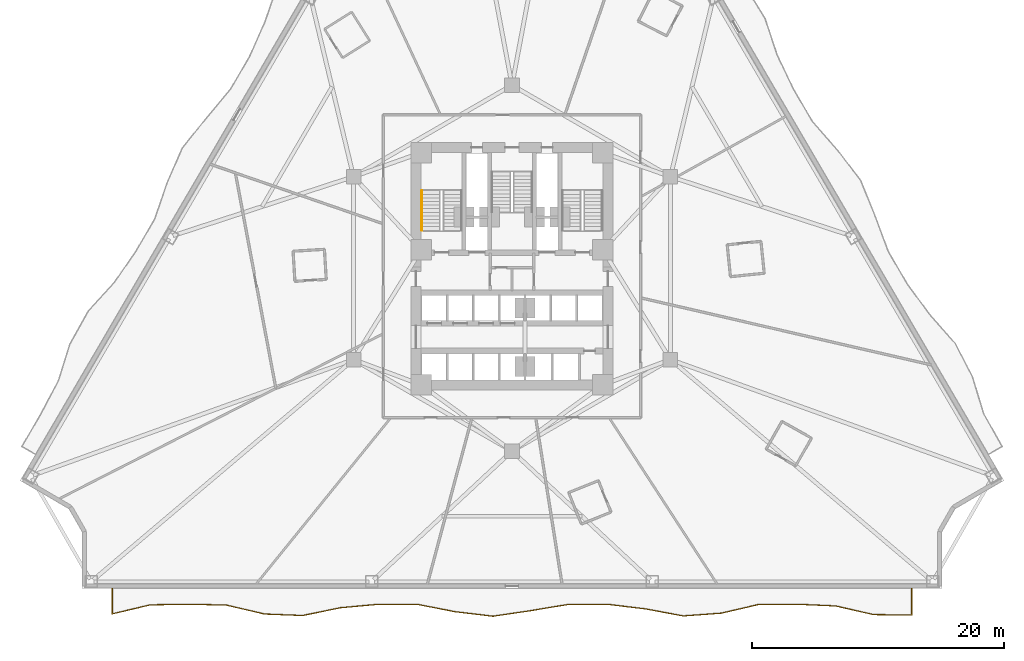
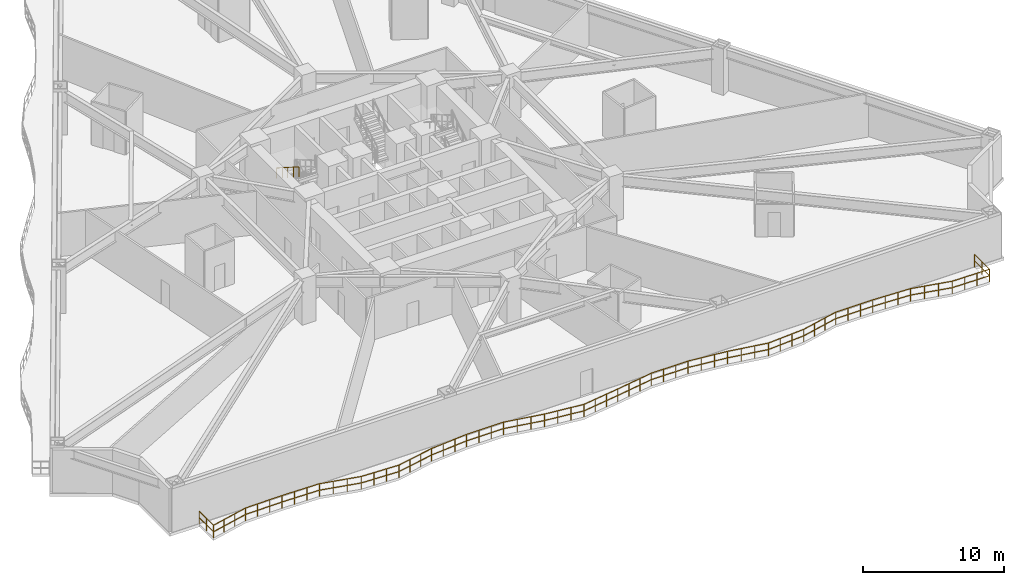
# One storey, part 8 of 12: 2 railings.
"""IFC4 building model written with IfcOpenShell, lengths in metres."""

from ifc_helpers import new_model, si_unit, direction, frame, origin, origin_2d, place, context, subcontext, project, spatial, rectangle, extrude, material, type_object, element, save


model = new_model("IFC4")

# Units and contexts
model_context = context("Model", 3, precision=1e-05, world=origin(), true_north=direction((0.0, 1.0)))
body_context = subcontext(model_context, "Body", "Model", "MODEL_VIEW")
ifc_project = project(units=[si_unit("LENGTHUNIT", "METRE"), si_unit("AREAUNIT", "SQUARE_METRE"), si_unit("VOLUMEUNIT", "CUBIC_METRE"), si_unit("PLANEANGLEUNIT", "RADIAN"), si_unit("MASSUNIT", "GRAM", prefix="KILO")], contexts=[model_context])

# Site, building, storey
site_placement = place(None, origin())
site = spatial("IfcSite", under=ifc_project, at=site_placement, CompositionType="ELEMENT")
building_placement = place(site_placement, origin())
building = spatial("IfcBuilding", under=site, at=building_placement, Name="Apsidion Concourse Tower", CompositionType="ELEMENT")
storey_placement = place(building_placement, frame((0.0, 0.0, 42.39990234375)))
storey = spatial("IfcBuildingStorey", under=building, at=storey_placement, Name="L08", CompositionType="ELEMENT", Elevation=42.39990234375)

# Railings
ifc_material = material(Name="Brushed stainless steel 316", Category="steel")
railing_type_1 = type_object("IfcRailingType", Name="RL-BAL-1120", PredefinedType="BALUSTRADE", material=ifc_material)
railing_1_placement = place(storey_placement, frame((31.68798828125, -25.39990234375, 0.0)))
element("IfcRailing", 1, at=railing_1_placement, inside=storey, type_object=railing_type_1, Name="L08 Face 2 Rippling Balcony Balustrade", PredefinedType="BALUSTRADE", context=body_context, shape_type="SweptSolid", body=[
    extrude(rectangle(XDim=0.048095703125, YDim=0.048095703125, at=origin_2d()), frame((0.0, 0.0, 1.09619140625), z_axis=(0.0, -1.0, 0.0), x_axis=(1.0, 0.0, 0.0)), (0.0, 0.0, 1.0), 2.107421875),
    extrude(rectangle(XDim=0.048095703125, YDim=0.048095703125, at=origin_2d()), frame((0.0, 0.0, 0.5361328125), z_axis=(0.0, -1.0, 0.0), x_axis=(1.0, 0.0, 0.0)), (0.0, 0.0, 1.0), 2.107421875),
    extrude(rectangle(XDim=0.048095703125, YDim=0.048095703125, at=origin_2d()), frame((0.0, -2.107421875, 1.09619140625), z_axis=(-0.99992139051, 0.012538452838, 0.0), x_axis=(-0.012538452838, -0.99992139051, 0.0)), (0.0, 0.0, 1.0), 3.01806640625),
    extrude(rectangle(XDim=0.048095703125, YDim=0.048095703125, at=origin_2d()), frame((0.0, -2.107421875, 0.5361328125), z_axis=(-0.99992139051, 0.012538452838, 0.0), x_axis=(-0.012538452838, -0.99992139051, 0.0)), (0.0, 0.0, 1.0), 3.01806640625),
    extrude(rectangle(XDim=0.048095703125, YDim=0.048095703125, at=origin_2d()), frame((-3.017822265625, -2.069580078125, 1.09619140625), z_axis=(-0.975121230641, 0.221672248046, 0.0), x_axis=(-0.221672248046, -0.975121230641, 0.0)), (0.0, 0.0, 1.0), 3.0947265625),
    extrude(rectangle(XDim=0.048095703125, YDim=0.048095703125, at=origin_2d()), frame((-3.017822265625, -2.069580078125, 0.5361328125), z_axis=(-0.975121230641, 0.221672248046, 0.0), x_axis=(-0.221672248046, -0.975121230641, 0.0)), (0.0, 0.0, 1.0), 3.0947265625),
    extrude(rectangle(XDim=0.048095703125, YDim=0.048095703125, at=origin_2d()), frame((-6.03564453125, -1.383544921875, 1.09619140625), z_axis=(-0.999022312249, 0.044208818445, 0.0), x_axis=(-0.044208818445, -0.999022312249, 0.0)), (0.0, 0.0, 1.0), 3.020751953125),
    extrude(rectangle(XDim=0.048095703125, YDim=0.048095703125, at=origin_2d()), frame((-6.03564453125, -1.383544921875, 0.5361328125), z_axis=(-0.999022312249, 0.044208818445, 0.0), x_axis=(-0.044208818445, -0.999022312249, 0.0)), (0.0, 0.0, 1.0), 3.020751953125),
    extrude(rectangle(XDim=0.048095703125, YDim=0.048095703125, at=origin_2d()), frame((-9.053466796875, -1.25, 1.09619140625), z_axis=(-1.0, 0.0, 0.0), x_axis=(0.0, -1.0, 0.0)), (0.0, 0.0, 1.0), 3.01806640625),
    extrude(rectangle(XDim=0.048095703125, YDim=0.048095703125, at=origin_2d()), frame((-9.053466796875, -1.25, 0.5361328125), z_axis=(-1.0, 0.0, 0.0), x_axis=(0.0, -1.0, 0.0)), (0.0, 0.0, 1.0), 3.01806640625),
    extrude(rectangle(XDim=0.048095703125, YDim=0.048095703125, at=origin_2d()), frame((-12.071533203125, -1.25, 1.09619140625), z_axis=(-0.973779584052, -0.227493564047, 0.0), x_axis=(0.227493564047, -0.973779584052, 0.0)), (0.0, 0.0, 1.0), 3.099365234375),
    extrude(rectangle(XDim=0.048095703125, YDim=0.048095703125, at=origin_2d()), frame((-12.071533203125, -1.25, 0.5361328125), z_axis=(-0.973779584052, -0.227493564047, 0.0), x_axis=(0.227493564047, -0.973779584052, 0.0)), (0.0, 0.0, 1.0), 3.099365234375),
    extrude(rectangle(XDim=0.048095703125, YDim=0.048095703125, at=origin_2d()), frame((-15.089599609375, -1.955078125, 1.09619140625), z_axis=(-0.9973890091, -0.072216096039, 0.0), x_axis=(0.072216096039, -0.9973890091, 0.0)), (0.0, 0.0, 1.0), 3.025634765625),
    extrude(rectangle(XDim=0.048095703125, YDim=0.048095703125, at=origin_2d()), frame((-15.089599609375, -1.955078125, 0.5361328125), z_axis=(-0.9973890091, -0.072216096039, 0.0), x_axis=(0.072216096039, -0.9973890091, 0.0)), (0.0, 0.0, 1.0), 3.025634765625),
    extrude(rectangle(XDim=0.048095703125, YDim=0.048095703125, at=origin_2d()), frame((-18.107421875, -2.173583984375, 1.09619140625), z_axis=(-0.983240308438, 0.182314277724, 0.0), x_axis=(-0.182314277724, -0.983240308438, 0.0)), (0.0, 0.0, 1.0), 3.0693359375),
    extrude(rectangle(XDim=0.048095703125, YDim=0.048095703125, at=origin_2d()), frame((-18.107421875, -2.173583984375, 0.5361328125), z_axis=(-0.983240308438, 0.182314277724, 0.0), x_axis=(-0.182314277724, -0.983240308438, 0.0)), (0.0, 0.0, 1.0), 3.0693359375),
    extrude(rectangle(XDim=0.048095703125, YDim=0.048095703125, at=origin_2d()), frame((-21.125244140625, -1.614013671875, 1.09619140625), z_axis=(-0.992803682505, 0.11975327972, 0.0), x_axis=(-0.11975327972, -0.992803682505, 0.0)), (0.0, 0.0, 1.0), 3.039794921875),
    extrude(rectangle(XDim=0.048095703125, YDim=0.048095703125, at=origin_2d()), frame((-21.125244140625, -1.614013671875, 0.5361328125), z_axis=(-0.992803682505, 0.11975327972, 0.0), x_axis=(-0.11975327972, -0.992803682505, 0.0)), (0.0, 0.0, 1.0), 3.039794921875),
    extrude(rectangle(XDim=0.048095703125, YDim=0.048095703125, at=origin_2d()), frame((-24.14306640625, -1.25, 1.09619140625), z_axis=(-1.0, 0.0, 0.0), x_axis=(0.0, -1.0, 0.0)), (0.0, 0.0, 1.0), 3.01806640625),
    extrude(rectangle(XDim=0.048095703125, YDim=0.048095703125, at=origin_2d()), frame((-24.14306640625, -1.25, 0.5361328125), z_axis=(-1.0, 0.0, 0.0), x_axis=(0.0, -1.0, 0.0)), (0.0, 0.0, 1.0), 3.01806640625),
    extrude(rectangle(XDim=0.048095703125, YDim=0.048095703125, at=origin_2d()), frame((-27.1611328125, -1.25, 1.09619140625), z_axis=(-0.986460705296, -0.163997795436, 0.0), x_axis=(0.163997795436, -0.986460705296, 0.0)), (0.0, 0.0, 1.0), 3.059326171875),
    extrude(rectangle(XDim=0.048095703125, YDim=0.048095703125, at=origin_2d()), frame((-27.1611328125, -1.25, 0.5361328125), z_axis=(-0.986460705296, -0.163997795436, 0.0), x_axis=(0.163997795436, -0.986460705296, 0.0)), (0.0, 0.0, 1.0), 3.059326171875),
    extrude(rectangle(XDim=0.048095703125, YDim=0.048095703125, at=origin_2d()), frame((-30.178955078125, -1.751708984375, 1.09619140625), z_axis=(-0.98921978265, -0.146438456742, 0.0), x_axis=(0.146438456742, -0.98921978265, 0.0)), (0.0, 0.0, 1.0), 3.051025390625),
    extrude(rectangle(XDim=0.048095703125, YDim=0.048095703125, at=origin_2d()), frame((-30.178955078125, -1.751708984375, 0.5361328125), z_axis=(-0.98921978265, -0.146438456742, 0.0), x_axis=(0.146438456742, -0.98921978265, 0.0)), (0.0, 0.0, 1.0), 3.051025390625),
    extrude(rectangle(XDim=0.048095703125, YDim=0.048095703125, at=origin_2d()), frame((-33.197021484375, -2.198486328125, 1.09619140625), z_axis=(-0.992870375728, 0.119199064605, 0.0), x_axis=(-0.119199064605, -0.992870375728, 0.0)), (0.0, 0.0, 1.0), 3.03955078125),
    extrude(rectangle(XDim=0.048095703125, YDim=0.048095703125, at=origin_2d()), frame((-33.197021484375, -2.198486328125, 0.5361328125), z_axis=(-0.992870375728, 0.119199064605, 0.0), x_axis=(-0.119199064605, -0.992870375728, 0.0)), (0.0, 0.0, 1.0), 3.03955078125),
    extrude(rectangle(XDim=0.048095703125, YDim=0.048095703125, at=origin_2d()), frame((-36.21484375, -1.836181640625, 1.09619140625), z_axis=(-0.981655869186, 0.190661360776, 0.0), x_axis=(-0.190661360776, -0.981655869186, 0.0)), (0.0, 0.0, 1.0), 3.074462890625),
    extrude(rectangle(XDim=0.048095703125, YDim=0.048095703125, at=origin_2d()), frame((-36.21484375, -1.836181640625, 0.5361328125), z_axis=(-0.981655869186, 0.190661360776, 0.0), x_axis=(-0.190661360776, -0.981655869186, 0.0)), (0.0, 0.0, 1.0), 3.074462890625),
    extrude(rectangle(XDim=0.048095703125, YDim=0.048095703125, at=origin_2d()), frame((-39.23291015625, -1.25, 1.09619140625), z_axis=(-1.0, 0.0, 0.0), x_axis=(0.0, -1.0, 0.0)), (0.0, 0.0, 1.0), 3.017822265625),
    extrude(rectangle(XDim=0.048095703125, YDim=0.048095703125, at=origin_2d()), frame((-39.23291015625, -1.25, 0.5361328125), z_axis=(-1.0, 0.0, 0.0), x_axis=(0.0, -1.0, 0.0)), (0.0, 0.0, 1.0), 3.017822265625),
    extrude(rectangle(XDim=0.048095703125, YDim=0.048095703125, at=origin_2d()), frame((-42.250732421875, -1.25, 1.09619140625), z_axis=(-0.995941932495, -0.089998150522, 0.0), x_axis=(0.089998150522, -0.995941932495, 0.0)), (0.0, 0.0, 1.0), 3.030029296875),
    extrude(rectangle(XDim=0.048095703125, YDim=0.048095703125, at=origin_2d()), frame((-42.250732421875, -1.25, 0.5361328125), z_axis=(-0.995941932495, -0.089998150522, 0.0), x_axis=(0.089998150522, -0.995941932495, 0.0)), (0.0, 0.0, 1.0), 3.030029296875),
    extrude(rectangle(XDim=0.048095703125, YDim=0.048095703125, at=origin_2d()), frame((-45.2685546875, -1.522705078125, 1.09619140625), z_axis=(-0.97961189964, -0.200899293389, 0.0), x_axis=(0.200899293389, -0.97961189964, 0.0)), (0.0, 0.0, 1.0), 3.08056640625),
    extrude(rectangle(XDim=0.048095703125, YDim=0.048095703125, at=origin_2d()), frame((-45.2685546875, -1.522705078125, 0.5361328125), z_axis=(-0.97961189964, -0.200899293389, 0.0), x_axis=(0.200899293389, -0.97961189964, 0.0)), (0.0, 0.0, 1.0), 3.08056640625),
    extrude(rectangle(XDim=0.048095703125, YDim=0.048095703125, at=origin_2d()), frame((-48.286376953125, -2.1416015625, 1.09619140625), z_axis=(-0.999221739573, 0.039445090512, 0.0), x_axis=(-0.039445090512, -0.999221739573, 0.0)), (0.0, 0.0, 1.0), 3.0205078125),
    extrude(rectangle(XDim=0.048095703125, YDim=0.048095703125, at=origin_2d()), frame((-48.286376953125, -2.1416015625, 0.5361328125), z_axis=(-0.999221739573, 0.039445090512, 0.0), x_axis=(-0.039445090512, -0.999221739573, 0.0)), (0.0, 0.0, 1.0), 3.0205078125),
    extrude(rectangle(XDim=0.048095703125, YDim=0.048095703125, at=origin_2d()), frame((-51.304443359375, -2.0224609375, 1.09619140625), z_axis=(-0.973552299797, 0.228464263203, 0.0), x_axis=(-0.228464263203, -0.973552299797, 0.0)), (0.0, 0.0, 1.0), 3.10009765625),
    extrude(rectangle(XDim=0.048095703125, YDim=0.048095703125, at=origin_2d()), frame((-51.304443359375, -2.0224609375, 0.5361328125), z_axis=(-0.973552299797, 0.228464263203, 0.0), x_axis=(-0.228464263203, -0.973552299797, 0.0)), (0.0, 0.0, 1.0), 3.10009765625),
    extrude(rectangle(XDim=0.048095703125, YDim=0.048095703125, at=origin_2d()), frame((-54.322509765625, -1.314208984375, 1.09619140625), z_axis=(-0.999773730057, 0.021271781491, 0.0), x_axis=(-0.021271781491, -0.999773730057, 0.0)), (0.0, 0.0, 1.0), 3.0185546875),
    extrude(rectangle(XDim=0.048095703125, YDim=0.048095703125, at=origin_2d()), frame((-54.322509765625, -1.314208984375, 0.5361328125), z_axis=(-0.999773730057, 0.021271781491, 0.0), x_axis=(-0.021271781491, -0.999773730057, 0.0)), (0.0, 0.0, 1.0), 3.0185546875),
    extrude(rectangle(XDim=0.048095703125, YDim=0.048095703125, at=origin_2d()), frame((-57.34033203125, -1.25, 1.09619140625), z_axis=(-0.999878129663, -0.015611720656, 0.0), x_axis=(0.015611720656, -0.999878129663, 0.0)), (0.0, 0.0, 1.0), 3.018310546875),
    extrude(rectangle(XDim=0.048095703125, YDim=0.048095703125, at=origin_2d()), frame((-57.34033203125, -1.25, 0.5361328125), z_axis=(-0.999878129663, -0.015611720656, 0.0), x_axis=(0.015611720656, -0.999878129663, 0.0)), (0.0, 0.0, 1.0), 3.018310546875),
    extrude(rectangle(XDim=0.048095703125, YDim=0.048095703125, at=origin_2d()), frame((-60.358154296875, -1.297119140625, 1.09619140625), z_axis=(-0.973232019886, -0.229824792982, 0.0), x_axis=(0.229824792982, -0.973232019886, 0.0)), (0.0, 0.0, 1.0), 3.100830078125),
    extrude(rectangle(XDim=0.048095703125, YDim=0.048095703125, at=origin_2d()), frame((-60.358154296875, -1.297119140625, 0.5361328125), z_axis=(-0.973232019886, -0.229824792982, 0.0), x_axis=(0.229824792982, -0.973232019886, 0.0)), (0.0, 0.0, 1.0), 3.100830078125),
    extrude(rectangle(XDim=0.048095703125, YDim=0.048095703125, at=origin_2d()), frame((-63.3759765625, -2.009765625, 1.09619140625), z_axis=(0.0, 1.0, 0.0), x_axis=(-1.0, 0.0, 0.0)), (0.0, 0.0, 1.0), 2.009765625),
    extrude(rectangle(XDim=0.048095703125, YDim=0.048095703125, at=origin_2d()), frame((-63.3759765625, -2.009765625, 0.5361328125), z_axis=(0.0, 1.0, 0.0), x_axis=(-1.0, 0.0, 0.0)), (0.0, 0.0, 1.0), 2.009765625),
    extrude(rectangle(XDim=0.0419921875, YDim=0.0419921875, at=origin_2d()), origin(), (0.0, 0.0, 1.0), 1.072021484375),
    extrude(rectangle(XDim=0.0419921875, YDim=0.0419921875, at=origin_2d()), frame((0.0, -1.0537109375, 0.0)), (0.0, 0.0, 1.0), 1.072021484375),
    extrude(rectangle(XDim=0.0419921875, YDim=0.0419921875, at=origin_2d()), frame((0.0, -2.107421875, 0.0)), (0.0, 0.0, 1.0), 1.072021484375),
    extrude(rectangle(XDim=0.0419921875, YDim=0.0419921875, at=origin_2d()), frame((-1.005859375, -2.0947265625, 0.0)), (0.0, 0.0, 1.0), 1.072021484375),
    extrude(rectangle(XDim=0.0419921875, YDim=0.0419921875, at=origin_2d()), frame((-2.011962890625, -2.082275390625, 0.0)), (0.0, 0.0, 1.0), 1.072021484375),
    extrude(rectangle(XDim=0.0419921875, YDim=0.0419921875, at=origin_2d()), frame((-3.017822265625, -2.069580078125, 0.0)), (0.0, 0.0, 1.0), 1.072021484375),
    extrude(rectangle(XDim=0.0419921875, YDim=0.0419921875, at=origin_2d()), frame((-4.023681640625, -1.8408203125, 0.0)), (0.0, 0.0, 1.0), 1.072021484375),
    extrude(rectangle(XDim=0.0419921875, YDim=0.0419921875, at=origin_2d()), frame((-5.02978515625, -1.6123046875, 0.0)), (0.0, 0.0, 1.0), 1.072021484375),
    extrude(rectangle(XDim=0.0419921875, YDim=0.0419921875, at=origin_2d()), frame((-6.03564453125, -1.383544921875, 0.0)), (0.0, 0.0, 1.0), 1.072021484375),
    extrude(rectangle(XDim=0.0419921875, YDim=0.0419921875, at=origin_2d()), frame((-7.04150390625, -1.339111328125, 0.0)), (0.0, 0.0, 1.0), 1.072021484375),
    extrude(rectangle(XDim=0.0419921875, YDim=0.0419921875, at=origin_2d()), frame((-8.047607421875, -1.29443359375, 0.0)), (0.0, 0.0, 1.0), 1.072021484375),
    extrude(rectangle(XDim=0.0419921875, YDim=0.0419921875, at=origin_2d()), frame((-9.053466796875, -1.25, 0.0)), (0.0, 0.0, 1.0), 1.072021484375),
    extrude(rectangle(XDim=0.0419921875, YDim=0.0419921875, at=origin_2d()), frame((-10.0595703125, -1.25, 0.0)), (0.0, 0.0, 1.0), 1.072021484375),
    extrude(rectangle(XDim=0.0419921875, YDim=0.0419921875, at=origin_2d()), frame((-11.0654296875, -1.25, 0.0)), (0.0, 0.0, 1.0), 1.072021484375),
    extrude(rectangle(XDim=0.0419921875, YDim=0.0419921875, at=origin_2d()), frame((-12.071533203125, -1.25, 0.0)), (0.0, 0.0, 1.0), 1.072021484375),
    extrude(rectangle(XDim=0.0419921875, YDim=0.0419921875, at=origin_2d()), frame((-13.07763671875, -1.485107421875, 0.0)), (0.0, 0.0, 1.0), 1.072021484375),
    extrude(rectangle(XDim=0.0419921875, YDim=0.0419921875, at=origin_2d()), frame((-14.08349609375, -1.719970703125, 0.0)), (0.0, 0.0, 1.0), 1.072021484375),
    extrude(rectangle(XDim=0.0419921875, YDim=0.0419921875, at=origin_2d()), frame((-15.089599609375, -1.955078125, 0.0)), (0.0, 0.0, 1.0), 1.072021484375),
    extrude(rectangle(XDim=0.0419921875, YDim=0.0419921875, at=origin_2d()), frame((-16.095458984375, -2.02783203125, 0.0)), (0.0, 0.0, 1.0), 1.072021484375),
    extrude(rectangle(XDim=0.0419921875, YDim=0.0419921875, at=origin_2d()), frame((-17.1015625, -2.100830078125, 0.0)), (0.0, 0.0, 1.0), 1.072021484375),
    extrude(rectangle(XDim=0.0419921875, YDim=0.0419921875, at=origin_2d()), frame((-18.107421875, -2.173583984375, 0.0)), (0.0, 0.0, 1.0), 1.072021484375),
    extrude(rectangle(XDim=0.0419921875, YDim=0.0419921875, at=origin_2d()), frame((-19.11328125, -1.987060546875, 0.0)), (0.0, 0.0, 1.0), 1.072021484375),
    extrude(rectangle(XDim=0.0419921875, YDim=0.0419921875, at=origin_2d()), frame((-20.119384765625, -1.800537109375, 0.0)), (0.0, 0.0, 1.0), 1.072021484375),
    extrude(rectangle(XDim=0.0419921875, YDim=0.0419921875, at=origin_2d()), frame((-21.125244140625, -1.614013671875, 0.0)), (0.0, 0.0, 1.0), 1.072021484375),
    extrude(rectangle(XDim=0.0419921875, YDim=0.0419921875, at=origin_2d()), frame((-22.131103515625, -1.49267578125, 0.0)), (0.0, 0.0, 1.0), 1.072021484375),
    extrude(rectangle(XDim=0.0419921875, YDim=0.0419921875, at=origin_2d()), frame((-23.13720703125, -1.371337890625, 0.0)), (0.0, 0.0, 1.0), 1.072021484375),
    extrude(rectangle(XDim=0.0419921875, YDim=0.0419921875, at=origin_2d()), frame((-24.14306640625, -1.25, 0.0)), (0.0, 0.0, 1.0), 1.072021484375),
    extrude(rectangle(XDim=0.0419921875, YDim=0.0419921875, at=origin_2d()), frame((-25.149169921875, -1.25, 0.0)), (0.0, 0.0, 1.0), 1.072021484375),
    extrude(rectangle(XDim=0.0419921875, YDim=0.0419921875, at=origin_2d()), frame((-26.155029296875, -1.25, 0.0)), (0.0, 0.0, 1.0), 1.072021484375),
    extrude(rectangle(XDim=0.0419921875, YDim=0.0419921875, at=origin_2d()), frame((-27.1611328125, -1.25, 0.0)), (0.0, 0.0, 1.0), 1.072021484375),
    extrude(rectangle(XDim=0.0419921875, YDim=0.0419921875, at=origin_2d()), frame((-28.1669921875, -1.417236328125, 0.0)), (0.0, 0.0, 1.0), 1.072021484375),
    extrude(rectangle(XDim=0.0419921875, YDim=0.0419921875, at=origin_2d()), frame((-29.173095703125, -1.58447265625, 0.0)), (0.0, 0.0, 1.0), 1.072021484375),
    extrude(rectangle(XDim=0.0419921875, YDim=0.0419921875, at=origin_2d()), frame((-30.178955078125, -1.751708984375, 0.0)), (0.0, 0.0, 1.0), 1.072021484375),
    extrude(rectangle(XDim=0.0419921875, YDim=0.0419921875, at=origin_2d()), frame((-31.18505859375, -1.900634765625, 0.0)), (0.0, 0.0, 1.0), 1.072021484375),
    extrude(rectangle(XDim=0.0419921875, YDim=0.0419921875, at=origin_2d()), frame((-32.19091796875, -2.049560546875, 0.0)), (0.0, 0.0, 1.0), 1.072021484375),
    extrude(rectangle(XDim=0.0419921875, YDim=0.0419921875, at=origin_2d()), frame((-33.197021484375, -2.198486328125, 0.0)), (0.0, 0.0, 1.0), 1.072021484375),
    extrude(rectangle(XDim=0.0419921875, YDim=0.0419921875, at=origin_2d()), frame((-34.202880859375, -2.07763671875, 0.0)), (0.0, 0.0, 1.0), 1.072021484375),
    extrude(rectangle(XDim=0.0419921875, YDim=0.0419921875, at=origin_2d()), frame((-35.208984375, -1.95703125, 0.0)), (0.0, 0.0, 1.0), 1.072021484375),
    extrude(rectangle(XDim=0.0419921875, YDim=0.0419921875, at=origin_2d()), frame((-36.21484375, -1.836181640625, 0.0)), (0.0, 0.0, 1.0), 1.072021484375),
    extrude(rectangle(XDim=0.0419921875, YDim=0.0419921875, at=origin_2d()), frame((-37.220947265625, -1.640869140625, 0.0)), (0.0, 0.0, 1.0), 1.072021484375),
    extrude(rectangle(XDim=0.0419921875, YDim=0.0419921875, at=origin_2d()), frame((-38.226806640625, -1.4453125, 0.0)), (0.0, 0.0, 1.0), 1.072021484375),
    extrude(rectangle(XDim=0.0419921875, YDim=0.0419921875, at=origin_2d()), frame((-39.23291015625, -1.25, 0.0)), (0.0, 0.0, 1.0), 1.072021484375),
    extrude(rectangle(XDim=0.0419921875, YDim=0.0419921875, at=origin_2d()), frame((-40.23876953125, -1.25, 0.0)), (0.0, 0.0, 1.0), 1.072021484375),
    extrude(rectangle(XDim=0.0419921875, YDim=0.0419921875, at=origin_2d()), frame((-41.244873046875, -1.25, 0.0)), (0.0, 0.0, 1.0), 1.072021484375),
    extrude(rectangle(XDim=0.0419921875, YDim=0.0419921875, at=origin_2d()), frame((-42.250732421875, -1.25, 0.0)), (0.0, 0.0, 1.0), 1.072021484375),
    extrude(rectangle(XDim=0.0419921875, YDim=0.0419921875, at=origin_2d()), frame((-43.256591796875, -1.3408203125, 0.0)), (0.0, 0.0, 1.0), 1.072021484375),
    extrude(rectangle(XDim=0.0419921875, YDim=0.0419921875, at=origin_2d()), frame((-44.2626953125, -1.431884765625, 0.0)), (0.0, 0.0, 1.0), 1.072021484375),
    extrude(rectangle(XDim=0.0419921875, YDim=0.0419921875, at=origin_2d()), frame((-45.2685546875, -1.522705078125, 0.0)), (0.0, 0.0, 1.0), 1.072021484375),
    extrude(rectangle(XDim=0.0419921875, YDim=0.0419921875, at=origin_2d()), frame((-46.2744140625, -1.72900390625, 0.0)), (0.0, 0.0, 1.0), 1.072021484375),
    extrude(rectangle(XDim=0.0419921875, YDim=0.0419921875, at=origin_2d()), frame((-47.280517578125, -1.935302734375, 0.0)), (0.0, 0.0, 1.0), 1.072021484375),
    extrude(rectangle(XDim=0.0419921875, YDim=0.0419921875, at=origin_2d()), frame((-48.286376953125, -2.1416015625, 0.0)), (0.0, 0.0, 1.0), 1.072021484375),
    extrude(rectangle(XDim=0.0419921875, YDim=0.0419921875, at=origin_2d()), frame((-49.29248046875, -2.101806640625, 0.0)), (0.0, 0.0, 1.0), 1.072021484375),
    extrude(rectangle(XDim=0.0419921875, YDim=0.0419921875, at=origin_2d()), frame((-50.29833984375, -2.062255859375, 0.0)), (0.0, 0.0, 1.0), 1.072021484375),
    extrude(rectangle(XDim=0.0419921875, YDim=0.0419921875, at=origin_2d()), frame((-51.304443359375, -2.0224609375, 0.0)), (0.0, 0.0, 1.0), 1.072021484375),
    extrude(rectangle(XDim=0.0419921875, YDim=0.0419921875, at=origin_2d()), frame((-52.310546875, -1.786376953125, 0.0)), (0.0, 0.0, 1.0), 1.072021484375),
    extrude(rectangle(XDim=0.0419921875, YDim=0.0419921875, at=origin_2d()), frame((-53.31640625, -1.55029296875, 0.0)), (0.0, 0.0, 1.0), 1.072021484375),
    extrude(rectangle(XDim=0.0419921875, YDim=0.0419921875, at=origin_2d()), frame((-54.322509765625, -1.314208984375, 0.0)), (0.0, 0.0, 1.0), 1.072021484375),
    extrude(rectangle(XDim=0.0419921875, YDim=0.0419921875, at=origin_2d()), frame((-55.328369140625, -1.292724609375, 0.0)), (0.0, 0.0, 1.0), 1.072021484375),
    extrude(rectangle(XDim=0.0419921875, YDim=0.0419921875, at=origin_2d()), frame((-56.33447265625, -1.271484375, 0.0)), (0.0, 0.0, 1.0), 1.072021484375),
    extrude(rectangle(XDim=0.0419921875, YDim=0.0419921875, at=origin_2d()), frame((-57.34033203125, -1.25, 0.0)), (0.0, 0.0, 1.0), 1.072021484375),
    extrude(rectangle(XDim=0.0419921875, YDim=0.0419921875, at=origin_2d()), frame((-58.34619140625, -1.265625, 0.0)), (0.0, 0.0, 1.0), 1.072021484375),
    extrude(rectangle(XDim=0.0419921875, YDim=0.0419921875, at=origin_2d()), frame((-59.352294921875, -1.281494140625, 0.0)), (0.0, 0.0, 1.0), 1.072021484375),
    extrude(rectangle(XDim=0.0419921875, YDim=0.0419921875, at=origin_2d()), frame((-60.358154296875, -1.297119140625, 0.0)), (0.0, 0.0, 1.0), 1.072021484375),
    extrude(rectangle(XDim=0.0419921875, YDim=0.0419921875, at=origin_2d()), frame((-61.364013671875, -1.53466796875, 0.0)), (0.0, 0.0, 1.0), 1.072021484375),
    extrude(rectangle(XDim=0.0419921875, YDim=0.0419921875, at=origin_2d()), frame((-62.3701171875, -1.772216796875, 0.0)), (0.0, 0.0, 1.0), 1.072021484375),
    extrude(rectangle(XDim=0.0419921875, YDim=0.0419921875, at=origin_2d()), frame((-63.3759765625, -2.009765625, 0.0)), (0.0, 0.0, 1.0), 1.072021484375),
    extrude(rectangle(XDim=0.0419921875, YDim=0.0419921875, at=origin_2d()), frame((-63.3759765625, -1.0048828125, 0.0)), (0.0, 0.0, 1.0), 1.072021484375),
    extrude(rectangle(XDim=0.0419921875, YDim=0.0419921875, at=origin_2d()), frame((-63.3759765625, 0.0, 0.0)), (0.0, 0.0, 1.0), 1.072021484375),
])
railing_type_2 = type_object("IfcRailingType", Name="RL-HAND-900", PredefinedType="HANDRAIL", material=ifc_material)
railing_2_placement = place(storey_placement, frame((-7.14990234375, 6.135009765625, 2.166748046875)))
element("IfcRailing", 2, at=railing_2_placement, inside=storey, type_object=railing_type_2, Name="L08 ST1 stair handrail 2", PredefinedType="HANDRAIL", context=body_context, shape_type="SweptSolid", body=[
    extrude(rectangle(XDim=0.048095703125, YDim=0.048095703125, at=origin_2d()), frame((0.0, 0.0, 0.8759765625), z_axis=(0.0, -0.843052688722, 0.537830980921), x_axis=(1.0, 0.0, 0.0)), (0.0, 0.0, 1.0), 3.71875),
    extrude(rectangle(XDim=0.0419921875, YDim=0.0419921875, at=origin_2d()), origin(), (0.0, 0.0, 1.0), 0.851806640625),
    extrude(rectangle(XDim=0.0419921875, YDim=0.0419921875, at=origin_2d()), frame((0.0, -0.78369140625, 0.5)), (0.0, 0.0, 1.0), 0.851806640625),
    extrude(rectangle(XDim=0.0419921875, YDim=0.0419921875, at=origin_2d()), frame((0.0, -1.5673828125, 1.0)), (0.0, 0.0, 1.0), 0.851806640625),
    extrude(rectangle(XDim=0.0419921875, YDim=0.0419921875, at=origin_2d()), frame((0.0, -2.351318359375, 1.5)), (0.0, 0.0, 1.0), 0.851806640625),
    extrude(rectangle(XDim=0.0419921875, YDim=0.0419921875, at=origin_2d()), frame((0.0, -3.135009765625, 2.0)), (0.0, 0.0, 1.0), 0.851806640625),
])

save(model, "model.ifc")
